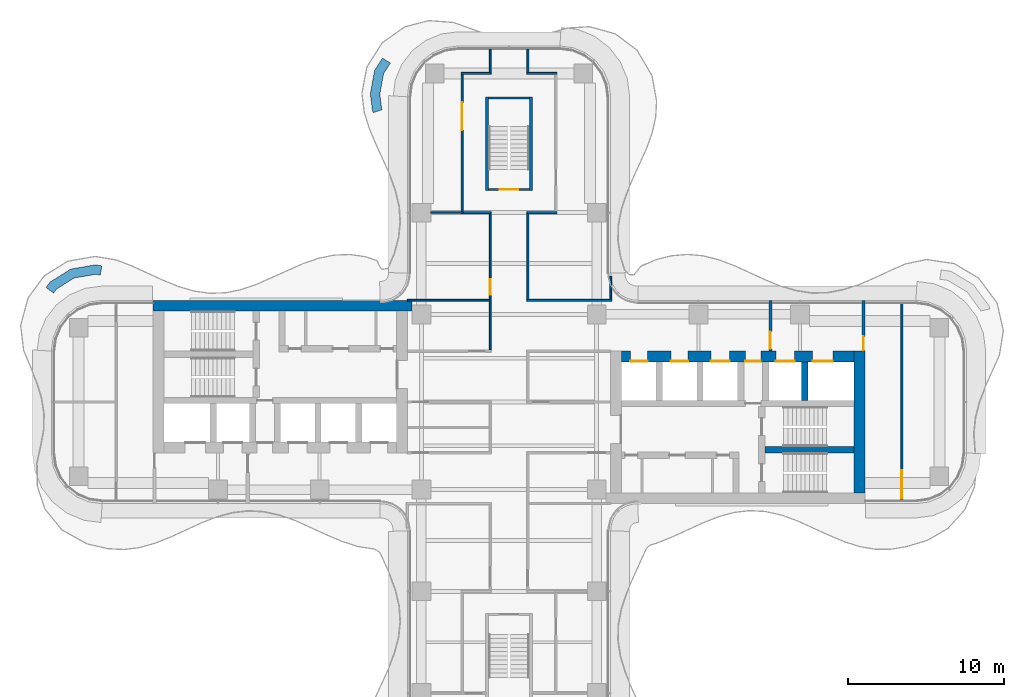
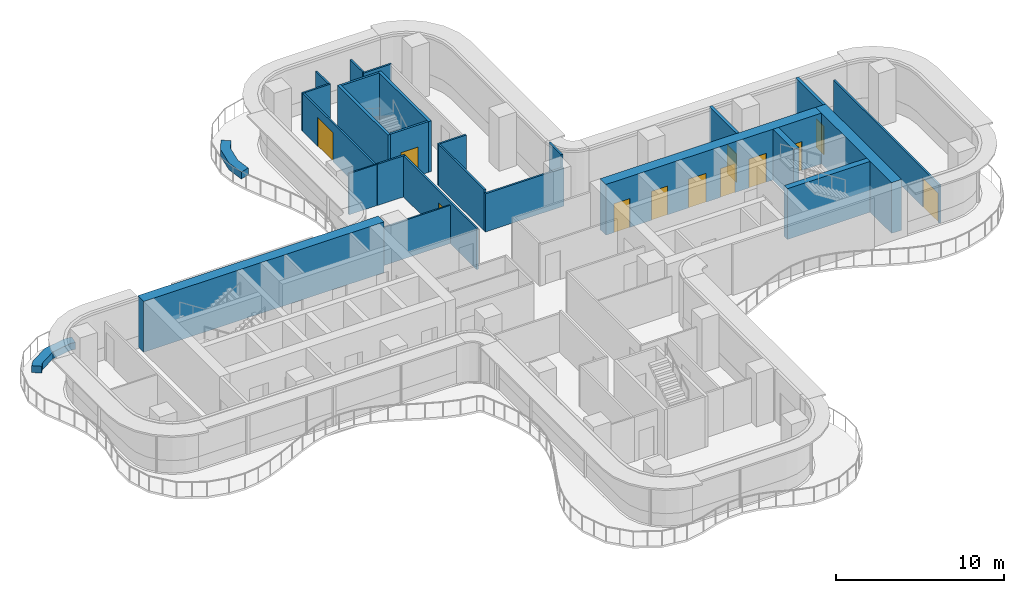
# One storey, part 15 of 18: 27 walls, 12 doors, 12 openings.
"""IFC4 building model written with IfcOpenShell, lengths in metres."""

from ifc_helpers import new_model, si_unit, direction, frame, frame_2d, origin, place, context, subcontext, project, spatial, polyline, rectangle, outline, extrude, source, transform, mapped, material, layer, layer_set, type_object, element, fill, save


model = new_model("IFC4")

# Units and contexts
model_context = context("Model", 3, precision=1e-05, world=origin(), true_north=direction((0.0, 1.0)))
body_context = subcontext(model_context, "Body", "Model", "MODEL_VIEW")
ifc_project = project(units=[si_unit("LENGTHUNIT", "METRE"), si_unit("AREAUNIT", "SQUARE_METRE"), si_unit("VOLUMEUNIT", "CUBIC_METRE"), si_unit("PLANEANGLEUNIT", "RADIAN"), si_unit("MASSUNIT", "GRAM", prefix="KILO")], contexts=[model_context])

# Site, building, storey
site_placement = place(None, origin())
site = spatial("IfcSite", under=ifc_project, at=site_placement, CompositionType="ELEMENT")
building_placement = place(site_placement, origin())
building = spatial("IfcBuilding", under=site, at=building_placement, Name="Trellis Farm Tower", CompositionType="ELEMENT")
storey_placement = place(building_placement, frame((0.0, 0.0, 204.89990234375)))
storey = spatial("IfcBuildingStorey", under=building, at=storey_placement, Name="L45", CompositionType="ELEMENT", Elevation=204.89990234375)

# Walls
ifc_material_1 = material(Name="Sandstone faced masonry planter", Category="masonry")
ifc_layer_1 = layer(ifc_material_1, 0.60009765625)
ifc_layer_set_1 = layer_set([ifc_layer_1], Name="PLANTER BED 600")
wall_type_1 = type_object("IfcWallType", Name="PLANTER BED 600", PredefinedType="USERDEFINED", material=ifc_layer_set_1)
placement = place(storey_placement, origin())
element("IfcWall", 1, at=placement, inside=storey, type_object=wall_type_1, Name="PLANTER bed", ObjectType="PLANTER", PredefinedType="USERDEFINED", context=body_context, shape_type="SweptSolid", body=[
    extrude(outline(polyline([(-28.000244140625, 8.49560546875), (-26.425048828125, 8.76513671875), (-26.0205078125, 8.69580078125), (-26.1220703125, 8.104248046875), (-26.42529296875, 8.156494140625), (-27.783203125, 7.924072265625), (-28.9130859375, 7.2216796875), (-29.1044921875, 6.961181640625), (-29.587890625, 7.31640625), (-29.328125, 7.670166015625), (-28.000244140625, 8.49560546875)])), origin(), (0.0, 0.0, 1.0), 0.5),
])
element("IfcWall", 2, at=placement, inside=storey, type_object=wall_type_1, Name="PLANTER bed", ObjectType="PLANTER", PredefinedType="USERDEFINED", context=body_context, shape_type="SweptSolid", body=[
    extrude(outline(polyline([(-8.863525390625, 19.684814453125), (-8.590576171875, 21.1875), (-8.087158203125, 21.9794921875), (-7.580810546875, 21.657470703125), (-8.021240234375, 20.964599609375), (-8.256591796875, 19.668701171875), (-8.13916015625, 18.752685546875), (-8.113525390625, 18.670654296875), (-8.686279296875, 18.49169921875), (-8.7275390625, 18.6240234375), (-8.863525390625, 19.684814453125)])), origin(), (0.0, 0.0, 1.0), 0.5),
])
ifc_material_2 = material(Name="Concrete C70/85", Category="concrete")
ifc_layer_2 = layer(ifc_material_2, 0.699951171875)
ifc_layer_set_2 = layer_set([ifc_layer_2], Name="CORE OUTER WALL 700 CONCRETE C70/85")
wall_type_2 = type_object("IfcWallType", Name="CORE OUTER WALL 700 CONCRETE C70/85", PredefinedType="SHEAR", material=ifc_layer_set_2)
shared_shape_1 = source(origin(), body_context, "Body", "SweptSolid", [
    extrude(rectangle(XDim=9.050048828125, YDim=0.699951171875, at=frame_2d((4.52490234375, 0.0))), origin(), (0.0, 0.0, 1.0), 3.7001953125),
])
wall_3_placement = place(storey_placement, frame((22.39990234375, -5.800048828125, 0.0), z_axis=(0.0, 0.0, 1.0), x_axis=(0.0, 1.0, 0.0)))
element("IfcWall", 3, at=wall_3_placement, inside=storey, type_object=wall_type_2, Name="Core wall", PredefinedType="SHEAR", context=body_context, shape_type="MappedRepresentation", body=[
    mapped(shared_shape_1, transform((0.0, 0.0, 0.0))),
])
ifc_layer_3 = layer(ifc_material_2, 0.39990234375)
ifc_layer_set_3 = layer_set([ifc_layer_3], Name="CORE INNER WALL 400 CONCRETE C70/85")
wall_type_3 = type_object("IfcWallType", Name="CORE INNER WALL 400 CONCRETE C70/85", PredefinedType="SHEAR", material=ifc_layer_set_3)
shared_shape_2 = source(origin(), body_context, "Body", "SweptSolid", [
    extrude(rectangle(XDim=2.449951171875, YDim=0.39990234375, at=frame_2d((1.22509765625, 0.0))), origin(), (0.0, 0.0, 1.0), 3.7001953125),
])
wall_4_placement = place(storey_placement, frame((18.89990234375, 0.10009765625, 0.0), z_axis=(0.0, 0.0, 1.0), x_axis=(0.0, 1.0, 0.0)))
element("IfcWall", 4, at=wall_4_placement, inside=storey, type_object=wall_type_3, Name="Core wall", PredefinedType="SHEAR", context=body_context, shape_type="MappedRepresentation", body=[
    mapped(shared_shape_2, transform((0.0, 0.0, 0.0))),
])

# Wall, opening, door
ifc_material_3 = material(Name="Masonry blockwork", Category="masonry")
ifc_layer_4 = layer(ifc_material_3, 0.199951171875)
ifc_layer_set_4 = layer_set([ifc_layer_4], Name="FIRE LOBBY PARTITION 200 BLOCKWORK")
wall_type_4 = type_object("IfcWallType", Name="FIRE LOBBY PARTITION 200 BLOCKWORK", PredefinedType="PARTITIONING", material=ifc_layer_set_4)
shared_shape_3 = source(origin(), body_context, "Body", "SweptSolid", [
    extrude(rectangle(XDim=3.25, YDim=0.199951171875, at=frame_2d((1.625, 0.0))), origin(), (0.0, 0.0, 1.0), 3.7001953125),
])
wall_5_placement = place(storey_placement, frame((16.699951171875, 3.25, 0.0), z_axis=(0.0, 0.0, 1.0), x_axis=(0.0, 1.0, 0.0)))
wall_5 = element("IfcWall", 5, at=wall_5_placement, inside=storey, type_object=wall_type_4, Name="Fire-fighting lobby partition", PredefinedType="PARTITIONING", context=body_context, shape_type="MappedRepresentation", body=[
    mapped(shared_shape_3, transform((0.0, 0.0, 0.0))),
])
shared_shape_4 = source(origin(), body_context, "Body", "SweptSolid", [
    extrude(rectangle(XDim=1.10009765625, YDim=2.10009765625, at=frame_2d((0.550048828125, 1.050048828125))), frame((0.0, 0.110107421875, 0.0), z_axis=(0.0, -1.0, 0.0), x_axis=(1.0, 0.0, 0.0)), (0.0, 0.0, 1.0), 0.22021484375),
])
opening_1_placement = place(wall_5_placement, frame((0.14990234375, 0.0, 0.0)))
opening_1 = element("IfcOpeningElement", 6, at=opening_1_placement, cuts=wall_5, Name="Opening DC7", PredefinedType="OPENING", context=body_context, shape_type="MappedRepresentation", body=[
    mapped(shared_shape_4, transform((0.0, 0.0, 0.0))),
])
ifc_material_4 = material(Name="Steel", Category="steel")
door_type_1 = type_object("IfcDoorType", Name="CORE FIRE DOOR 1100 X 2100", OperationType="NOTDEFINED", PredefinedType="DOOR", material=ifc_material_4)
shared_shape_5 = source(origin(), body_context, "Body", "SweptSolid", [
    extrude(rectangle(XDim=1.10009765625, YDim=2.10009765625, at=frame_2d((0.550048828125, 1.050048828125))), frame((0.0, 0.02490234375, 0.0), z_axis=(0.0, -1.0, 0.0), x_axis=(1.0, 0.0, 0.0)), (0.0, 0.0, 1.0), 0.050048828125),
])
door_1_placement = place(opening_1_placement, origin())
door_1 = element("IfcDoor", 7, at=door_1_placement, inside=storey, type_object=door_type_1, Name="Core door", OperationType="SINGLE_SWING_RIGHT", OverallHeight=2.10009765625, OverallWidth=1.10009765625, PredefinedType="DOOR", context=body_context, shape_type="MappedRepresentation", body=[
    mapped(shared_shape_5, transform((0.0, 0.0, 0.0))),
])
fill(opening_1, door_1)

wall_6_placement = place(storey_placement, frame((22.64990234375, 3.25, 0.0), z_axis=(0.0, 0.0, 1.0), x_axis=(0.0, 1.0, 0.0)))
wall_6 = element("IfcWall", 8, at=wall_6_placement, inside=storey, type_object=wall_type_4, Name="Fire-fighting lobby partition", PredefinedType="PARTITIONING", context=body_context, shape_type="MappedRepresentation", body=[
    mapped(shared_shape_3, transform((0.0, 0.0, 0.0))),
])
shared_shape_6 = source(origin(), body_context, "Body", "SweptSolid", [
    extrude(rectangle(XDim=0.89990234375, YDim=2.10009765625, at=frame_2d((0.449951171875, 1.050048828125))), frame((0.0, 0.110107421875, 0.0), z_axis=(0.0, -1.0, 0.0), x_axis=(1.0, 0.0, 0.0)), (0.0, 0.0, 1.0), 0.22021484375),
])
opening_2_placement = place(wall_6_placement, frame((0.050048828125, 0.0, 0.0)))
opening_2 = element("IfcOpeningElement", 9, at=opening_2_placement, cuts=wall_6, Name="Opening DC8", PredefinedType="OPENING", context=body_context, shape_type="MappedRepresentation", body=[
    mapped(shared_shape_6, transform((0.0, 0.0, 0.0))),
])
door_type_2 = type_object("IfcDoorType", Name="CORE FIRE DOOR 900 X 2100", OperationType="NOTDEFINED", PredefinedType="DOOR", material=ifc_material_4)
shared_shape_7 = source(origin(), body_context, "Body", "SweptSolid", [
    extrude(rectangle(XDim=0.89990234375, YDim=2.10009765625, at=frame_2d((0.449951171875, 1.050048828125))), frame((0.0, 0.02490234375, 0.0), z_axis=(0.0, -1.0, 0.0), x_axis=(1.0, 0.0, 0.0)), (0.0, 0.0, 1.0), 0.050048828125),
])
door_2_placement = place(opening_2_placement, origin())
door_2 = element("IfcDoor", 10, at=door_2_placement, inside=storey, type_object=door_type_2, Name="Core door", OperationType="SINGLE_SWING_RIGHT", OverallHeight=2.10009765625, OverallWidth=0.89990234375, PredefinedType="DOOR", context=body_context, shape_type="MappedRepresentation", body=[
    mapped(shared_shape_7, transform((0.0, 0.0, 0.0))),
])
fill(opening_2, door_2)

# Wall
shared_shape_8 = source(origin(), body_context, "Body", "SweptSolid", [
    extrude(rectangle(XDim=16.550048828125, YDim=0.699951171875, at=frame_2d((8.27490234375, 0.0))), origin(), (0.0, 0.0, 1.0), 3.7001953125),
])
wall_7_placement = place(storey_placement, frame((-6.199951171875, 6.14990234375, 0.0), z_axis=(0.0, 0.0, 1.0), x_axis=(-1.0, 0.0, 0.0)))
element("IfcWall", 11, at=wall_7_placement, inside=storey, type_object=wall_type_2, Name="Core wall", PredefinedType="SHEAR", context=body_context, shape_type="MappedRepresentation", body=[
    mapped(shared_shape_8, transform((0.0, 0.0, 0.0))),
])

# Wall, openings, doors
shared_shape_9 = source(origin(), body_context, "Body", "SweptSolid", [
    extrude(rectangle(XDim=14.85009765625, YDim=0.699951171875, at=frame_2d((7.425048828125, 0.0))), origin(), (0.0, 0.0, 1.0), 3.7001953125),
])
wall_8_placement = place(storey_placement, frame((7.199951171875, 2.89990234375, 0.0), z_axis=(0.0, 0.0, 1.0), x_axis=(1.0, 0.0, 0.0)))
wall_8 = element("IfcWall", 12, at=wall_8_placement, inside=storey, type_object=wall_type_2, Name="Core wall", PredefinedType="SHEAR", context=body_context, shape_type="MappedRepresentation", body=[
    mapped(shared_shape_9, transform((0.0, 0.0, 0.0))),
])
shared_shape_10 = source(origin(), body_context, "Body", "SweptSolid", [
    extrude(rectangle(XDim=1.10009765625, YDim=2.10009765625, at=frame_2d((0.550048828125, 1.050048828125))), frame((0.0, 0.360107421875, 0.0), z_axis=(0.0, -1.0, 0.0), x_axis=(1.0, 0.0, 0.0)), (0.0, 0.0, 1.0), 0.72021484375),
])
opening_3_placement = place(wall_8_placement, frame((0.550048828125, 0.0, 0.0)))
opening_3 = element("IfcOpeningElement", 13, at=opening_3_placement, cuts=wall_8, Name="Opening LD4", PredefinedType="OPENING", context=body_context, shape_type="MappedRepresentation", body=[
    mapped(shared_shape_10, transform((0.0, 0.0, 0.0))),
])
opening_4_placement = place(wall_8_placement, frame((3.14990234375, 0.0, 0.0)))
opening_4 = element("IfcOpeningElement", 14, at=opening_4_placement, cuts=wall_8, Name="Opening LD5", PredefinedType="OPENING", context=body_context, shape_type="MappedRepresentation", body=[
    mapped(shared_shape_10, transform((0.0, 0.0, 0.0))),
])
shared_shape_11 = source(origin(), body_context, "Body", "SweptSolid", [
    extrude(rectangle(XDim=1.199951171875, YDim=2.10009765625, at=frame_2d((0.60009765625, 1.050048828125))), frame((0.0, 0.360107421875, 0.0), z_axis=(0.0, -1.0, 0.0), x_axis=(1.0, 0.0, 0.0)), (0.0, 0.0, 1.0), 0.72021484375),
])
opening_5_placement = place(wall_8_placement, frame((5.699951171875, 0.0, 0.0)))
opening_5 = element("IfcOpeningElement", 15, at=opening_5_placement, cuts=wall_8, Name="Opening LD6", PredefinedType="OPENING", context=body_context, shape_type="MappedRepresentation", body=[
    mapped(shared_shape_11, transform((0.0, 0.0, 0.0))),
])
shared_shape_12 = source(origin(), body_context, "Body", "SweptSolid", [
    extrude(rectangle(XDim=1.300048828125, YDim=2.10009765625, at=frame_2d((0.64990234375, 1.050048828125))), frame((0.0, 0.360107421875, 0.0), z_axis=(0.0, -1.0, 0.0), x_axis=(1.0, 0.0, 0.0)), (0.0, 0.0, 1.0), 0.72021484375),
])
opening_6_placement = place(wall_8_placement, frame((12.199951171875, 0.0, 0.0)))
opening_6 = element("IfcOpeningElement", 16, at=opening_6_placement, cuts=wall_8, Name="Opening LD7", PredefinedType="OPENING", context=body_context, shape_type="MappedRepresentation", body=[
    mapped(shared_shape_12, transform((0.0, 0.0, 0.0))),
])
opening_7_placement = place(wall_8_placement, frame((9.85009765625, 0.0, 0.0)))
opening_7 = element("IfcOpeningElement", 17, at=opening_7_placement, cuts=wall_8, Name="Opening LD8", PredefinedType="OPENING", context=body_context, shape_type="MappedRepresentation", body=[
    mapped(shared_shape_11, transform((0.0, 0.0, 0.0))),
])
shared_shape_13 = source(origin(), body_context, "Body", "SweptSolid", [
    extrude(rectangle(XDim=1.0, YDim=2.10009765625, at=frame_2d((0.5, 1.050048828125))), frame((0.0, 0.360107421875, 0.0), z_axis=(0.0, -1.0, 0.0), x_axis=(1.0, 0.0, 0.0)), (0.0, 0.0, 1.0), 0.72021484375),
])
opening_8_placement = place(wall_8_placement, frame((7.89990234375, 0.0, 0.0)))
opening_8 = element("IfcOpeningElement", 18, at=opening_8_placement, cuts=wall_8, Name="Opening DC6", PredefinedType="OPENING", context=body_context, shape_type="MappedRepresentation", body=[
    mapped(shared_shape_13, transform((0.0, 0.0, 0.0))),
])
door_type_3 = type_object("IfcDoorType", Name="CORE FIRE DOOR 1000 X 2100", OperationType="NOTDEFINED", PredefinedType="DOOR", material=ifc_material_4)
shared_shape_14 = source(origin(), body_context, "Body", "SweptSolid", [
    extrude(rectangle(XDim=1.0, YDim=2.10009765625, at=frame_2d((0.5, 1.050048828125))), frame((0.0, -0.27490234375, 0.0), z_axis=(0.0, -1.0, 0.0), x_axis=(1.0, 0.0, 0.0)), (0.0, 0.0, 1.0), 0.050048828125),
])
door_3_placement = place(opening_8_placement, origin())
door_3 = element("IfcDoor", 19, at=door_3_placement, inside=storey, type_object=door_type_3, Name="Core door", OperationType="SINGLE_SWING_LEFT", OverallHeight=2.10009765625, OverallWidth=1.0, PredefinedType="DOOR", context=body_context, shape_type="MappedRepresentation", body=[
    mapped(shared_shape_14, transform((0.0, 0.0, 0.0))),
])
fill(opening_8, door_3)
ifc_material_5 = material(Name="Stainless steel", Category="steel")
door_type_4 = type_object("IfcDoorType", Name="LIFT LANDING DOOR 1300 X 2100", OperationType="DOUBLE_DOOR_SLIDING", PredefinedType="DOOR", material=ifc_material_5)
shared_shape_15 = source(origin(), body_context, "Body", "SweptSolid", [
    extrude(rectangle(XDim=1.300048828125, YDim=2.10009765625, at=frame_2d((0.64990234375, 1.050048828125))), frame((0.0, -0.27490234375, 0.0), z_axis=(0.0, -1.0, 0.0), x_axis=(1.0, 0.0, 0.0)), (0.0, 0.0, 1.0), 0.050048828125),
])
door_4_placement = place(opening_6_placement, origin())
door_4 = element("IfcDoor", 20, at=door_4_placement, inside=storey, type_object=door_type_4, Name="Lift landing door", OperationType="DOUBLE_DOOR_SLIDING", OverallHeight=2.10009765625, OverallWidth=1.300048828125, PredefinedType="DOOR", context=body_context, shape_type="MappedRepresentation", body=[
    mapped(shared_shape_15, transform((0.0, 0.0, 0.0))),
])
fill(opening_6, door_4)
door_type_5 = type_object("IfcDoorType", Name="LIFT LANDING DOOR 1200 X 2100", OperationType="DOUBLE_DOOR_SLIDING", PredefinedType="DOOR", material=ifc_material_5)
shared_shape_16 = source(origin(), body_context, "Body", "SweptSolid", [
    extrude(rectangle(XDim=1.199951171875, YDim=2.10009765625, at=frame_2d((0.60009765625, 1.050048828125))), frame((0.0, -0.27490234375, 0.0), z_axis=(0.0, -1.0, 0.0), x_axis=(1.0, 0.0, 0.0)), (0.0, 0.0, 1.0), 0.050048828125),
])
door_5_placement = place(opening_5_placement, origin())
door_5 = element("IfcDoor", 21, at=door_5_placement, inside=storey, type_object=door_type_5, Name="Lift landing door", OperationType="DOUBLE_DOOR_SLIDING", OverallHeight=2.10009765625, OverallWidth=1.199951171875, PredefinedType="DOOR", context=body_context, shape_type="MappedRepresentation", body=[
    mapped(shared_shape_16, transform((0.0, 0.0, 0.0))),
])
fill(opening_5, door_5)
door_6_placement = place(opening_7_placement, origin())
door_6 = element("IfcDoor", 22, at=door_6_placement, inside=storey, type_object=door_type_5, Name="Lift landing door", OperationType="DOUBLE_DOOR_SLIDING", OverallHeight=2.10009765625, OverallWidth=1.199951171875, PredefinedType="DOOR", context=body_context, shape_type="MappedRepresentation", body=[
    mapped(shared_shape_16, transform((0.0, 0.0, 0.0))),
])
fill(opening_7, door_6)
door_type_6 = type_object("IfcDoorType", Name="LIFT LANDING DOOR 1100 X 2100", OperationType="DOUBLE_DOOR_SLIDING", PredefinedType="DOOR", material=ifc_material_5)
shared_shape_17 = source(origin(), body_context, "Body", "SweptSolid", [
    extrude(rectangle(XDim=1.10009765625, YDim=2.10009765625, at=frame_2d((0.550048828125, 1.050048828125))), frame((0.0, -0.27490234375, 0.0), z_axis=(0.0, -1.0, 0.0), x_axis=(1.0, 0.0, 0.0)), (0.0, 0.0, 1.0), 0.050048828125),
])
door_7_placement = place(opening_3_placement, origin())
door_7 = element("IfcDoor", 23, at=door_7_placement, inside=storey, type_object=door_type_6, Name="Lift landing door", OperationType="DOUBLE_DOOR_SLIDING", OverallHeight=2.10009765625, OverallWidth=1.10009765625, PredefinedType="DOOR", context=body_context, shape_type="MappedRepresentation", body=[
    mapped(shared_shape_17, transform((0.0, 0.0, 0.0))),
])
fill(opening_3, door_7)
door_8_placement = place(opening_4_placement, origin())
door_8 = element("IfcDoor", 24, at=door_8_placement, inside=storey, type_object=door_type_6, Name="Lift landing door", OperationType="DOUBLE_DOOR_SLIDING", OverallHeight=2.10009765625, OverallWidth=1.10009765625, PredefinedType="DOOR", context=body_context, shape_type="MappedRepresentation", body=[
    mapped(shared_shape_17, transform((0.0, 0.0, 0.0))),
])
fill(opening_4, door_8)

# Walls
shared_shape_18 = source(origin(), body_context, "Body", "SweptSolid", [
    extrude(rectangle(XDim=5.699951171875, YDim=0.39990234375, at=frame_2d((2.85009765625, 0.0))), origin(), (0.0, 0.0, 1.0), 3.7001953125),
])
wall_9_placement = place(storey_placement, frame((16.35009765625, -3.050048828125, 0.0), z_axis=(0.0, 0.0, 1.0), x_axis=(1.0, 0.0, 0.0)))
element("IfcWall", 25, at=wall_9_placement, inside=storey, type_object=wall_type_3, Name="Core wall", PredefinedType="SHEAR", context=body_context, shape_type="MappedRepresentation", body=[
    mapped(shared_shape_18, transform((0.0, 0.0, 0.0))),
])
ifc_layer_5 = layer(ifc_material_2, 0.199951171875)
ifc_layer_set_5 = layer_set([ifc_layer_5], Name="CORE STAIR ENCLOSURE WALL 200 CONCRETE C70/85")
wall_type_5 = type_object("IfcWallType", Name="CORE STAIR ENCLOSURE WALL 200 CONCRETE C70/85", PredefinedType="SHEAR", material=ifc_layer_set_5)
shared_shape_19 = source(origin(), body_context, "Body", "SweptSolid", [
    extrude(rectangle(XDim=6.0, YDim=0.199951171875, at=frame_2d((3.0, 0.0))), origin(), (0.0, 0.0, 1.0), 3.7001953125),
])
for number, where, z_axis, x_axis, name in (
    (26, (-1.39990234375, 13.5, 0.0), (0.0, 0.0, 1.0), (0.0, 1.0, 0.0), "Stair enclosure wall"),
    (27, (1.39990234375, 13.5, 0.0), (0.0, 0.0, 1.0), (0.0, 1.0, 0.0), "Stair enclosure wall"),
):
    element("IfcWall", number, at=place(storey_placement, frame(where, z_axis=z_axis, x_axis=x_axis)), inside=storey, type_object=wall_type_5, Name=name, PredefinedType="SHEAR", context=body_context, shape_type="MappedRepresentation", body=[
        mapped(shared_shape_19, transform((0.0, 0.0, 0.0))),
    ])

# Wall, opening, door
ifc_layer_6 = layer(ifc_material_2, 0.14990234375)
ifc_layer_set_6 = layer_set([ifc_layer_6], Name="CORE STAIR ENCLOSURE WALL 150 CONCRETE C70/85")
wall_type_6 = type_object("IfcWallType", Name="CORE STAIR ENCLOSURE WALL 150 CONCRETE C70/85", PredefinedType="SHEAR", material=ifc_layer_set_6)
shared_shape_20 = source(origin(), body_context, "Body", "SweptSolid", [
    extrude(rectangle(XDim=2.60009765625, YDim=0.14990234375, at=frame_2d((1.300048828125, 0.0))), origin(), (0.0, 0.0, 1.0), 3.7001953125),
])
wall_10_placement = place(storey_placement, frame((-1.300048828125, 13.574951171875, 0.0), z_axis=(0.0, 0.0, 1.0), x_axis=(1.0, 0.0, 0.0)))
wall_10 = element("IfcWall", 28, at=wall_10_placement, inside=storey, type_object=wall_type_6, Name="Stair enclosure wall", PredefinedType="SHEAR", context=body_context, shape_type="MappedRepresentation", body=[
    mapped(shared_shape_20, transform((0.0, 0.0, 0.0))),
])
shared_shape_21 = source(origin(), body_context, "Body", "SweptSolid", [
    extrude(rectangle(XDim=1.199951171875, YDim=2.10009765625, at=frame_2d((0.60009765625, 1.050048828125))), frame((0.0, 0.0849609375, 0.0), z_axis=(0.0, -1.0, 0.0), x_axis=(1.0, 0.0, 0.0)), (0.0, 0.0, 1.0), 0.169921875),
])
opening_9_placement = place(wall_10_placement, frame((0.699951171875, 0.0, 0.0)))
opening_9 = element("IfcOpeningElement", 29, at=opening_9_placement, cuts=wall_10, Name="Opening DC173", PredefinedType="OPENING", context=body_context, shape_type="MappedRepresentation", body=[
    mapped(shared_shape_21, transform((0.0, 0.0, 0.0))),
])
door_type_7 = type_object("IfcDoorType", Name="CORE FIRE DOOR 1200 X 2100", OperationType="NOTDEFINED", PredefinedType="DOOR", material=ifc_material_4)
shared_shape_22 = source(origin(), body_context, "Body", "SweptSolid", [
    extrude(rectangle(XDim=1.199951171875, YDim=2.10009765625, at=frame_2d((0.60009765625, 1.050048828125))), frame((0.0, 0.02490234375, 0.0), z_axis=(0.0, -1.0, 0.0), x_axis=(1.0, 0.0, 0.0)), (0.0, 0.0, 1.0), 0.050048828125),
])
door_9_placement = place(opening_9_placement, origin())
door_9 = element("IfcDoor", 30, at=door_9_placement, inside=storey, type_object=door_type_7, Name="Core door", OperationType="SINGLE_SWING_LEFT", OverallHeight=2.10009765625, OverallWidth=1.199951171875, PredefinedType="DOOR", context=body_context, shape_type="MappedRepresentation", body=[
    mapped(shared_shape_22, transform((0.0, 0.0, 0.0))),
])
fill(opening_9, door_9)

# Walls
wall_11_placement = place(storey_placement, frame((-1.300048828125, 19.425048828125, 0.0), z_axis=(0.0, 0.0, 1.0), x_axis=(1.0, 0.0, 0.0)))
element("IfcWall", 31, at=wall_11_placement, inside=storey, type_object=wall_type_6, Name="Stair enclosure wall", PredefinedType="SHEAR", context=body_context, shape_type="MappedRepresentation", body=[
    mapped(shared_shape_20, transform((0.0, 0.0, 0.0))),
])
ifc_material_6 = material(Name="Plasterboard on steel studs, mineral wool", Category="steel")
ifc_layer_7 = layer(ifc_material_6, 0.125)
ifc_layer_set_7 = layer_set([ifc_layer_7], Name="PARTITION 125 STUD EI 60")
wall_type_7 = type_object("IfcWallType", Name="PARTITION 125 STUD EI 60", PredefinedType="PARTITIONING", material=ifc_layer_set_7)
shared_shape_23 = source(origin(), body_context, "Body", "SweptSolid", [
    extrude(rectangle(XDim=5.47509765625, YDim=0.125, at=frame_2d((2.737548828125, 0.0))), origin(), (0.0, 0.0, 1.0), 2.99658203125),
])
wall_12_placement = place(storey_placement, frame((1.199951171875, 12.03759765625, 0.0), z_axis=(0.0, 0.0, 1.0), x_axis=(0.0, -1.0, 0.0)))
element("IfcWall", 32, at=wall_12_placement, inside=storey, type_object=wall_type_7, Name="Partition PW1", PredefinedType="PARTITIONING", context=body_context, shape_type="MappedRepresentation", body=[
    mapped(shared_shape_23, transform((0.0, 0.0, 0.0))),
])

# Wall, opening, door
shared_shape_24 = source(origin(), body_context, "Body", "SweptSolid", [
    extrude(rectangle(XDim=12.60009765625, YDim=0.125, at=frame_2d((6.300048828125, 0.0))), origin(), (0.0, 0.0, 1.0), 2.780029296875),
])
wall_13_placement = place(storey_placement, frame((25.10009765625, 6.300048828125, 0.0), z_axis=(0.0, 0.0, 1.0), x_axis=(0.0, -1.0, 0.0)))
wall_13 = element("IfcWall", 33, at=wall_13_placement, inside=storey, type_object=wall_type_7, Name="Partition PW1", PredefinedType="PARTITIONING", context=body_context, shape_type="MappedRepresentation", body=[
    mapped(shared_shape_24, transform((0.0, 0.0, 0.0))),
])
shared_shape_25 = source(origin(), body_context, "Body", "SweptSolid", [
    extrude(rectangle(XDim=1.800048828125, YDim=2.10009765625, at=frame_2d((0.89990234375, 1.050048828125))), frame((0.0, 0.072509765625, 0.0), z_axis=(0.0, -1.0, 0.0), x_axis=(1.0, 0.0, 0.0)), (0.0, 0.0, 1.0), 0.14501953125),
])
opening_10_placement = place(wall_13_placement, frame((10.64990234375, 0.0, 0.0)))
opening_10 = element("IfcOpeningElement", 34, at=opening_10_placement, cuts=wall_13, Name="Opening D201", PredefinedType="OPENING", context=body_context, shape_type="MappedRepresentation", body=[
    mapped(shared_shape_25, transform((0.0, 0.0, 0.0))),
])
ifc_material_7 = material(Name="Fire-rated timber door leaf in a hollow metal frame", Category="wood")
door_type_8 = type_object("IfcDoorType", Name="DOOR PAIR 1800x2100 FD30S", OperationType="NOTDEFINED", PredefinedType="DOOR", material=ifc_material_7)
shared_shape_26 = source(origin(), body_context, "Body", "SweptSolid", [
    extrude(rectangle(XDim=1.800048828125, YDim=2.10009765625, at=frame_2d((0.89990234375, 1.050048828125))), frame((0.0, 0.02490234375, 0.0), z_axis=(0.0, -1.0, 0.0), x_axis=(1.0, 0.0, 0.0)), (0.0, 0.0, 1.0), 0.050048828125),
])
door_10_placement = place(opening_10_placement, origin())
door_10 = element("IfcDoor", 35, at=door_10_placement, inside=storey, type_object=door_type_8, Name="Door D201", OperationType="DOUBLE_DOOR_SINGLE_SWING", OverallHeight=2.10009765625, OverallWidth=1.800048828125, PredefinedType="DOOR", context=body_context, shape_type="MappedRepresentation", body=[
    mapped(shared_shape_26, transform((0.0, 0.0, 0.0))),
])
fill(opening_10, door_10)

# Walls
ifc_material_8 = material(Name="Plasterboard on steel studs", Category="steel")
ifc_layer_8 = layer(ifc_material_8, 0.10009765625)
ifc_layer_set_8 = layer_set([ifc_layer_8], Name="PARTITION 100 STUD EI 30")
wall_type_8 = type_object("IfcWallType", Name="PARTITION 100 STUD EI 30", PredefinedType="PARTITIONING", material=ifc_layer_set_8)
shared_shape_27 = source(origin(), body_context, "Body", "SweptSolid", [
    extrude(rectangle(XDim=2.0625, YDim=0.10009765625, at=frame_2d((1.03125, 0.0))), origin(), (0.0, 0.0, 1.0), 2.99658203125),
])
wall_14_placement = place(storey_placement, frame((-5.0, 12.10009765625, 0.0), z_axis=(0.0, 0.0, 1.0), x_axis=(1.0, 0.0, 0.0)))
element("IfcWall", 36, at=wall_14_placement, inside=storey, type_object=wall_type_8, Name="Partition PW2", PredefinedType="PARTITIONING", context=body_context, shape_type="MappedRepresentation", body=[
    mapped(shared_shape_27, transform((0.0, 0.0, 0.0))),
])
shared_shape_28 = source(origin(), body_context, "Body", "SweptSolid", [
    extrude(rectangle(XDim=1.468994140625, YDim=0.125, at=frame_2d((0.734375, 0.0))), origin(), (0.0, 0.0, 1.0), 3.7001953125),
])
wall_15_placement = place(storey_placement, frame((6.5, 6.5625, 0.0), z_axis=(0.0, 0.0, 1.0), x_axis=(0.0, 1.0, 0.0)))
element("IfcWall", 37, at=wall_15_placement, inside=storey, type_object=wall_type_7, Name="Partition PW1", PredefinedType="PARTITIONING", context=body_context, shape_type="MappedRepresentation", body=[
    mapped(shared_shape_28, transform((0.0, 0.0, 0.0))),
])

# Wall, opening, door
shared_shape_29 = source(origin(), body_context, "Body", "SweptSolid", [
    extrude(rectangle(XDim=8.72509765625, YDim=0.125, at=frame_2d((4.362548828125, 0.0))), origin(), (0.0, 0.0, 1.0), 2.99658203125),
])
wall_16_placement = place(storey_placement, frame((-1.199951171875, 12.03759765625, 0.0), z_axis=(0.0, 0.0, 1.0), x_axis=(0.0, -1.0, 0.0)))
wall_16 = element("IfcWall", 38, at=wall_16_placement, inside=storey, type_object=wall_type_7, Name="Partition PW1", PredefinedType="PARTITIONING", context=body_context, shape_type="MappedRepresentation", body=[
    mapped(shared_shape_29, transform((0.0, 0.0, 0.0))),
])
shared_shape_30 = source(origin(), body_context, "Body", "SweptSolid", [
    extrude(rectangle(XDim=1.0, YDim=2.10009765625, at=frame_2d((0.5, 1.050048828125))), frame((0.0, 0.072509765625, 0.0), z_axis=(0.0, -1.0, 0.0), x_axis=(1.0, 0.0, 0.0)), (0.0, 0.0, 1.0), 0.14501953125),
])
opening_11_placement = place(wall_16_placement, frame((4.1875, 0.0, 0.0)))
opening_11 = element("IfcOpeningElement", 39, at=opening_11_placement, cuts=wall_16, Name="Opening D110", PredefinedType="OPENING", context=body_context, shape_type="MappedRepresentation", body=[
    mapped(shared_shape_30, transform((0.0, 0.0, 0.0))),
])
door_type_9 = type_object("IfcDoorType", Name="DOOR 1000x2100 FD30S", OperationType="NOTDEFINED", PredefinedType="DOOR", material=ifc_material_7)
shared_shape_31 = source(origin(), body_context, "Body", "SweptSolid", [
    extrude(rectangle(XDim=1.0, YDim=2.10009765625, at=frame_2d((0.5, 1.050048828125))), frame((0.0, 0.02490234375, 0.0), z_axis=(0.0, -1.0, 0.0), x_axis=(1.0, 0.0, 0.0)), (0.0, 0.0, 1.0), 0.050048828125),
])
door_11_placement = place(opening_11_placement, origin())
door_11 = element("IfcDoor", 40, at=door_11_placement, inside=storey, type_object=door_type_9, Name="Door D110", OperationType="SINGLE_SWING_RIGHT", OverallHeight=2.10009765625, OverallWidth=1.0, PredefinedType="DOOR", context=body_context, shape_type="MappedRepresentation", body=[
    mapped(shared_shape_31, transform((0.0, 0.0, 0.0))),
])
fill(opening_11, door_11)

# Walls
shared_shape_32 = source(origin(), body_context, "Body", "SweptSolid", [
    extrude(rectangle(XDim=1.925048828125, YDim=0.125, at=frame_2d((0.96240234375, 0.0))), origin(), (0.0, 0.0, 1.0), 2.99658203125),
])
for number, where, z_axis, x_axis, name in (
    (41, (-1.137451171875, 12.10009765625, 0.0), (0.0, 0.0, 1.0), (-1.0, 0.0, 0.0), "Partition PW1"),
    (42, (3.0625, 12.10009765625, 0.0), (0.0, 0.0, 1.0), (-1.0, 0.0, 0.0), "Partition PW1"),
):
    element("IfcWall", number, at=place(storey_placement, frame(where, z_axis=z_axis, x_axis=x_axis)), inside=storey, type_object=wall_type_7, Name=name, PredefinedType="PARTITIONING", context=body_context, shape_type="MappedRepresentation", body=[
        mapped(shared_shape_32, transform((0.0, 0.0, 0.0))),
    ])
shared_shape_33 = source(origin(), body_context, "Body", "SweptSolid", [
    extrude(rectangle(XDim=5.425048828125, YDim=0.125, at=frame_2d((2.71240234375, 0.0))), origin(), (0.0, 0.0, 1.0), 2.780029296875),
])
wall_17_placement = place(storey_placement, frame((1.137451171875, 6.5, 0.0), z_axis=(0.0, 0.0, 1.0), x_axis=(1.0, 0.0, 0.0)))
element("IfcWall", 43, at=wall_17_placement, inside=storey, type_object=wall_type_7, Name="Partition PW1", PredefinedType="PARTITIONING", context=body_context, shape_type="MappedRepresentation", body=[
    mapped(shared_shape_33, transform((0.0, 0.0, 0.0))),
])
shared_shape_34 = source(origin(), body_context, "Body", "SweptSolid", [
    extrude(rectangle(XDim=5.237548828125, YDim=0.10009765625, at=frame_2d((2.61865234375, 0.0))), origin(), (0.0, 0.0, 1.0), 2.780029296875),
])
wall_18_placement = place(storey_placement, frame((-6.5, 6.5, 0.0), z_axis=(0.0, 0.0, 1.0), x_axis=(1.0, 0.0, 0.0)))
element("IfcWall", 44, at=wall_18_placement, inside=storey, type_object=wall_type_8, Name="Partition PW2", PredefinedType="PARTITIONING", context=body_context, shape_type="MappedRepresentation", body=[
    mapped(shared_shape_34, transform((0.0, 0.0, 0.0))),
])
shared_shape_35 = source(origin(), body_context, "Body", "SweptSolid", [
    extrude(rectangle(XDim=1.487548828125, YDim=0.125, at=frame_2d((0.74365234375, 0.0))), origin(), (0.0, 0.0, 1.0), 2.780029296875),
])
for number, where, z_axis, x_axis, name in (
    (45, (-1.199951171875, 22.550048828125, 0.0), (0.0, 0.0, 1.0), (0.0, -1.0, 0.0), "Partition PW1"),
    (46, (1.199951171875, 22.550048828125, 0.0), (0.0, 0.0, 1.0), (0.0, -1.0, 0.0), "Partition PW1"),
):
    element("IfcWall", number, at=place(storey_placement, frame(where, z_axis=z_axis, x_axis=x_axis)), inside=storey, type_object=wall_type_7, Name=name, PredefinedType="PARTITIONING", context=body_context, shape_type="MappedRepresentation", body=[
        mapped(shared_shape_35, transform((0.0, 0.0, 0.0))),
    ])
shared_shape_36 = source(origin(), body_context, "Body", "SweptSolid", [
    extrude(rectangle(XDim=1.925048828125, YDim=0.125, at=frame_2d((0.96240234375, 0.0))), origin(), (0.0, 0.0, 1.0), 2.780029296875),
])
for number, where, z_axis, x_axis, name in (
    (47, (-3.0625, 21.0, 0.0), (0.0, 0.0, 1.0), (1.0, 0.0, 0.0), "Partition PW1"),
    (48, (1.137451171875, 21.0, 0.0), (0.0, 0.0, 1.0), (1.0, 0.0, 0.0), "Partition PW1"),
):
    element("IfcWall", number, at=place(storey_placement, frame(where, z_axis=z_axis, x_axis=x_axis)), inside=storey, type_object=wall_type_7, Name=name, PredefinedType="PARTITIONING", context=body_context, shape_type="MappedRepresentation", body=[
        mapped(shared_shape_36, transform((0.0, 0.0, 0.0))),
    ])

# Wall, opening, door
shared_shape_37 = source(origin(), body_context, "Body", "SweptSolid", [
    extrude(rectangle(XDim=8.78759765625, YDim=0.125, at=frame_2d((4.393798828125, 0.0))), origin(), (0.0, 0.0, 1.0), 2.780029296875),
])
wall_19_placement = place(storey_placement, frame((-3.0, 12.14990234375, 0.0), z_axis=(0.0, 0.0, 1.0), x_axis=(0.0, 1.0, 0.0)))
wall_19 = element("IfcWall", 49, at=wall_19_placement, inside=storey, type_object=wall_type_7, Name="Partition PW1", PredefinedType="PARTITIONING", context=body_context, shape_type="MappedRepresentation", body=[
    mapped(shared_shape_37, transform((0.0, 0.0, 0.0))),
])
opening_12_placement = place(wall_19_placement, frame((5.199951171875, 0.0, 0.0)))
opening_12 = element("IfcOpeningElement", 50, at=opening_12_placement, cuts=wall_19, Name="Opening D202", PredefinedType="OPENING", context=body_context, shape_type="MappedRepresentation", body=[
    mapped(shared_shape_25, transform((0.0, 0.0, 0.0))),
])
door_12_placement = place(opening_12_placement, origin())
door_12 = element("IfcDoor", 51, at=door_12_placement, inside=storey, type_object=door_type_8, Name="Door D202", OperationType="DOUBLE_DOOR_SINGLE_SWING", OverallHeight=2.10009765625, OverallWidth=1.800048828125, PredefinedType="DOOR", context=body_context, shape_type="MappedRepresentation", body=[
    mapped(shared_shape_26, transform((0.0, 0.0, 0.0))),
])
fill(opening_12, door_12)

save(model, "model.ifc")
